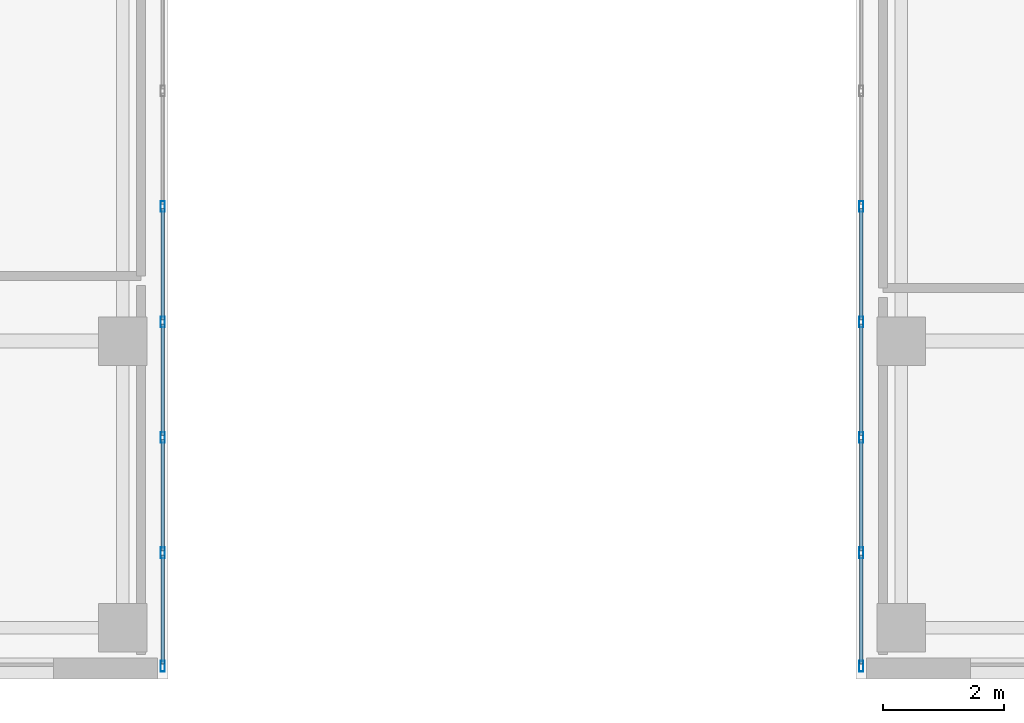
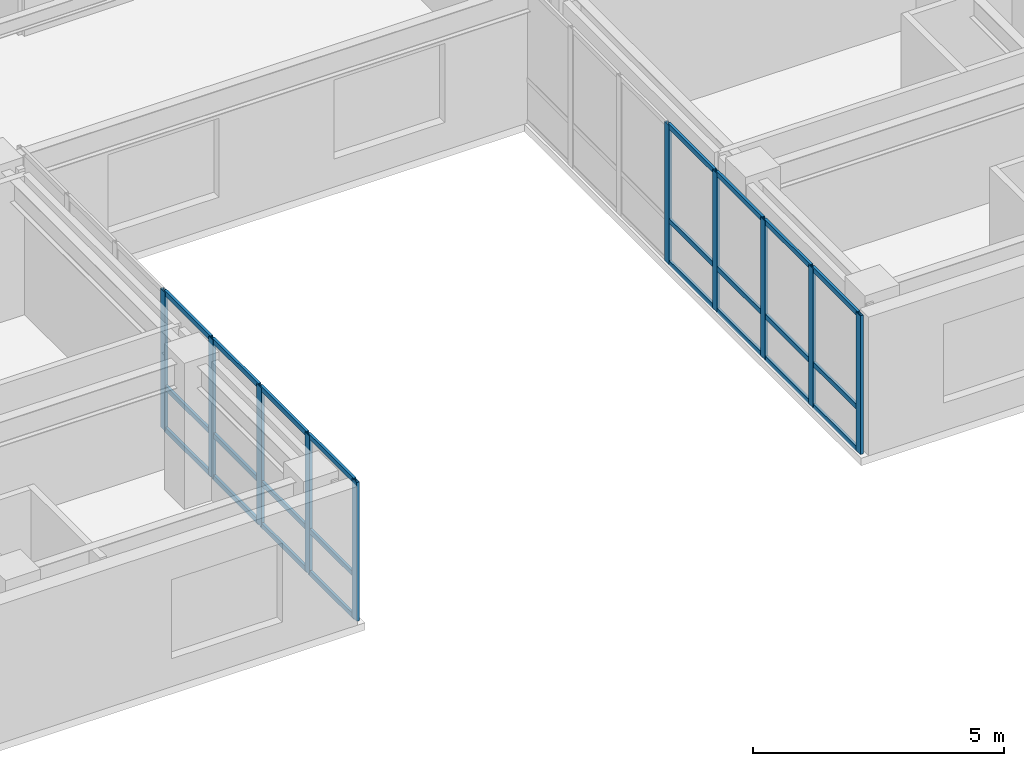
# One storey, part 7 of 24: 34 members, 2 elements without a shape of their own.
"""IFC4 building model written with IfcOpenShell, lengths in metres."""

from ifc_helpers import new_model, si_unit, direction, frame, origin, origin_2d, place, context, subcontext, project, spatial, hollow_rectangle, extrude, source, transform, mapped, material, layer, layer_set, material_profile, profile_set, type_object, type_shapes, element, aggregate, save


model = new_model("IFC4")

# Units and contexts
model_context = context("Model", 3, precision=1e-05, world=origin(), true_north=direction((0.0, 1.0)))
body_context = subcontext(model_context, "Body", "Model", "MODEL_VIEW")
ifc_project = project(units=[si_unit("LENGTHUNIT", "METRE"), si_unit("AREAUNIT", "SQUARE_METRE"), si_unit("VOLUMEUNIT", "CUBIC_METRE"), si_unit("PLANEANGLEUNIT", "RADIAN"), si_unit("MASSUNIT", "GRAM", prefix="KILO")], contexts=[model_context])

# Site, building, storey
site_placement = place(None, origin())
site = spatial("IfcSite", under=ifc_project, at=site_placement, CompositionType="ELEMENT")
building_placement = place(site_placement, origin())
building = spatial("IfcBuilding", under=site, at=building_placement, Name="Tolvann Quenvar Hotel", CompositionType="ELEMENT")
storey_placement = place(building_placement, frame((0.0, 0.0, 194.64990234375)))
storey = spatial("IfcBuildingStorey", under=building, at=storey_placement, Name="L51", CompositionType="ELEMENT", Elevation=194.64990234375)

# Curtain wall, members
ifc_material_1 = material(Name="Thermally broken anodised architectural aluminium 6063-T6 and laminated low-E glass", Category="aluminium")
ifc_layer = layer(ifc_material_1, 0.179931640625)
ifc_layer_set = layer_set([ifc_layer], Name="Thermally broken anodised architectural aluminium 6063-T6 and laminated low-E glass")
curtain_wall_type = type_object("IfcCurtainWallType", Name="CW_SYS_SLOT_03", PredefinedType="USERDEFINED", material=ifc_layer_set)
curtain_wall_1_placement = place(storey_placement, origin())
curtain_wall_1 = element("IfcCurtainWall", 1, at=curtain_wall_1_placement, inside=storey, type_object=curtain_wall_type, Name="Curtain Wall CW-SLOT-03 (CWR-L51-E05)", ObjectType="UNITISED CURTAIN WALL", PredefinedType="USERDEFINED")
ifc_material_2 = material(Name="Anodised architectural aluminium 6063-T6 framing", Category="aluminium")
ifc_material_profile_1 = material_profile(ifc_material_2, hollow_rectangle(XDim=0.070068359375, YDim=0.179931640625, WallThickness=0.00390625, at=origin_2d()), Name="180x70x4RHS")
ifc_profile_set_1 = profile_set([ifc_material_profile_1], Name="Anodised architectural aluminium 6063-T6 framing")
member_type_1 = type_object("IfcMemberType", Name="CW_MULL_180x70", PredefinedType="MULLION", material=ifc_profile_set_1)
shared_shape_1 = source(origin(), body_context, "Body", "SweptSolid", [
    extrude(hollow_rectangle(XDim=0.070068359375, YDim=0.179931640625, WallThickness=0.00390625, at=origin_2d()), origin(), (0.0, 0.0, 1.0), 3.3701171875),
])
type_shapes(member_type_1, [shared_shape_1])
member_1_placement = place(storey_placement, frame((22.7099609375, 2.81005859375, 0.0), z_axis=(0.0, 0.0, 1.0), x_axis=(-1.0, 0.0, 0.0)))
member_1 = element("IfcMember", 2, at=member_1_placement, type_object=member_type_1, Name="CW-SLOT-03 mullion 1", PredefinedType="MULLION", context=body_context, shape_type="MappedRepresentation", body=[
    mapped(shared_shape_1, transform((0.0, 0.0, 0.0), x_axis=(1.0, 0.0, 0.0), y_axis=(0.0, 1.0, 0.0), z_axis=(0.0, 0.0, 1.0), scale=1.0)),
])
member_2_placement = place(storey_placement, frame((22.7099609375, 4.689208984375, 0.0), z_axis=(0.0, 0.0, 1.0), x_axis=(-1.0, 0.0, 0.0)))
member_2 = element("IfcMember", 3, at=member_2_placement, type_object=member_type_1, Name="CW-SLOT-03 mullion 2", PredefinedType="MULLION", context=body_context, shape_type="MappedRepresentation", body=[
    mapped(shared_shape_1, transform((0.0, 0.0, 0.0), x_axis=(1.0, 0.0, 0.0), y_axis=(0.0, 1.0, 0.0), z_axis=(0.0, 0.0, 1.0), scale=1.0)),
])
member_3_placement = place(storey_placement, frame((22.7099609375, 6.603515625, 0.0), z_axis=(0.0, 0.0, 1.0), x_axis=(-1.0, 0.0, 0.0)))
member_3 = element("IfcMember", 4, at=member_3_placement, type_object=member_type_1, Name="CW-SLOT-03 mullion 3", PredefinedType="MULLION", context=body_context, shape_type="MappedRepresentation", body=[
    mapped(shared_shape_1, transform((0.0, 0.0, 0.0), x_axis=(1.0, 0.0, 0.0), y_axis=(0.0, 1.0, 0.0), z_axis=(0.0, 0.0, 1.0), scale=1.0)),
])
member_4_placement = place(storey_placement, frame((22.7099609375, 8.517822265625, 0.0), z_axis=(0.0, 0.0, 1.0), x_axis=(-1.0, 0.0, 0.0)))
member_4 = element("IfcMember", 5, at=member_4_placement, type_object=member_type_1, Name="CW-SLOT-03 mullion 4", PredefinedType="MULLION", context=body_context, shape_type="MappedRepresentation", body=[
    mapped(shared_shape_1, transform((0.0, 0.0, 0.0), x_axis=(1.0, 0.0, 0.0), y_axis=(0.0, 1.0, 0.0), z_axis=(0.0, 0.0, 1.0), scale=1.0)),
])
member_5_placement = place(storey_placement, frame((22.7099609375, 10.43212890625, 0.0), z_axis=(0.0, 0.0, 1.0), x_axis=(-1.0, 0.0, 0.0)))
member_5 = element("IfcMember", 6, at=member_5_placement, type_object=member_type_1, Name="CW-SLOT-03 mullion 5", PredefinedType="MULLION", context=body_context, shape_type="MappedRepresentation", body=[
    mapped(shared_shape_1, transform((0.0, 0.0, 0.0), x_axis=(1.0, 0.0, 0.0), y_axis=(0.0, 1.0, 0.0), z_axis=(0.0, 0.0, 1.0), scale=1.0)),
])

curtain_wall_2_placement = place(storey_placement, origin())
curtain_wall_2 = element("IfcCurtainWall", 7, at=curtain_wall_2_placement, inside=storey, type_object=curtain_wall_type, Name="Curtain Wall CW-SLOT-03 (CWR-L51-E07)", ObjectType="UNITISED CURTAIN WALL", PredefinedType="USERDEFINED")
member_6_placement = place(storey_placement, frame((34.2900390625, 10.43212890625, 0.0), z_axis=(0.0, 0.0, 1.0), x_axis=(1.0, 0.0, 0.0)))
member_6 = element("IfcMember", 8, at=member_6_placement, type_object=member_type_1, Name="CW-SLOT-03 mullion 4", PredefinedType="MULLION", context=body_context, shape_type="MappedRepresentation", body=[
    mapped(shared_shape_1, transform((0.0, 0.0, 0.0), x_axis=(1.0, 0.0, 0.0), y_axis=(0.0, 1.0, 0.0), z_axis=(0.0, 0.0, 1.0), scale=1.0)),
])
member_7_placement = place(storey_placement, frame((34.2900390625, 8.517822265625, 0.0), z_axis=(0.0, 0.0, 1.0), x_axis=(1.0, 0.0, 0.0)))
member_7 = element("IfcMember", 9, at=member_7_placement, type_object=member_type_1, Name="CW-SLOT-03 mullion 5", PredefinedType="MULLION", context=body_context, shape_type="MappedRepresentation", body=[
    mapped(shared_shape_1, transform((0.0, 0.0, 0.0), x_axis=(1.0, 0.0, 0.0), y_axis=(0.0, 1.0, 0.0), z_axis=(0.0, 0.0, 1.0), scale=1.0)),
])
member_8_placement = place(storey_placement, frame((34.2900390625, 6.603515625, 0.0), z_axis=(0.0, 0.0, 1.0), x_axis=(1.0, 0.0, 0.0)))
member_8 = element("IfcMember", 10, at=member_8_placement, type_object=member_type_1, Name="CW-SLOT-03 mullion 6", PredefinedType="MULLION", context=body_context, shape_type="MappedRepresentation", body=[
    mapped(shared_shape_1, transform((0.0, 0.0, 0.0), x_axis=(1.0, 0.0, 0.0), y_axis=(0.0, 1.0, 0.0), z_axis=(0.0, 0.0, 1.0), scale=1.0)),
])
member_9_placement = place(storey_placement, frame((34.2900390625, 4.689208984375, 0.0), z_axis=(0.0, 0.0, 1.0), x_axis=(1.0, 0.0, 0.0)))
member_9 = element("IfcMember", 11, at=member_9_placement, type_object=member_type_1, Name="CW-SLOT-03 mullion 7", PredefinedType="MULLION", context=body_context, shape_type="MappedRepresentation", body=[
    mapped(shared_shape_1, transform((0.0, 0.0, 0.0), x_axis=(1.0, 0.0, 0.0), y_axis=(0.0, 1.0, 0.0), z_axis=(0.0, 0.0, 1.0), scale=1.0)),
])
member_10_placement = place(storey_placement, frame((34.2900390625, 2.81005859375, 0.0), z_axis=(0.0, 0.0, 1.0), x_axis=(1.0, 0.0, 0.0)))
member_10 = element("IfcMember", 12, at=member_10_placement, type_object=member_type_1, Name="CW-SLOT-03 mullion 8", PredefinedType="MULLION", context=body_context, shape_type="MappedRepresentation", body=[
    mapped(shared_shape_1, transform((0.0, 0.0, 0.0), x_axis=(1.0, 0.0, 0.0), y_axis=(0.0, 1.0, 0.0), z_axis=(0.0, 0.0, 1.0), scale=1.0)),
])

# Member
ifc_material_profile_2 = material_profile(ifc_material_2, hollow_rectangle(XDim=0.06005859375, YDim=0.1201171875, WallThickness=0.00341796875, at=origin_2d()), Name="120x60x3.5RHS")
ifc_profile_set_2 = profile_set([ifc_material_profile_2], Name="Anodised architectural aluminium 6063-T6 framing")
member_type_2 = type_object("IfcMemberType", Name="CW_TRAN_120x60", PredefinedType="USERDEFINED", material=ifc_profile_set_2)
shared_shape_2 = source(origin(), body_context, "Body", "SweptSolid", [
    extrude(hollow_rectangle(XDim=0.06005859375, YDim=0.1201171875, WallThickness=0.00341796875, at=origin_2d()), origin(), (0.0, 0.0, 1.0), 1.809326171875),
])
member_11_placement = place(storey_placement, frame((22.7099609375, 2.844970703125, 0.030029296875), z_axis=(0.0, 1.0, 0.0), x_axis=(-1.0, 0.0, 0.0)))
member_11 = element("IfcMember", 13, at=member_11_placement, type_object=member_type_2, Name="CW-SLOT-03 transom 1.1", ObjectType="TRANSOM", PredefinedType="USERDEFINED", context=body_context, shape_type="MappedRepresentation", body=[
    mapped(shared_shape_2, transform((0.0, 0.0, 0.0), x_axis=(1.0, 0.0, 0.0), y_axis=(0.0, 1.0, 0.0), z_axis=(0.0, 0.0, 1.0), scale=1.0)),
])

member_12_placement = place(storey_placement, frame((22.7099609375, 2.844970703125, 1.050048828125), z_axis=(0.0, 1.0, 0.0), x_axis=(-1.0, 0.0, 0.0)))
member_12 = element("IfcMember", 14, at=member_12_placement, type_object=member_type_2, Name="CW-SLOT-03 transom 1.2", ObjectType="TRANSOM", PredefinedType="USERDEFINED", context=body_context, shape_type="MappedRepresentation", body=[
    mapped(shared_shape_2, transform((0.0, 0.0, 0.0), x_axis=(1.0, 0.0, 0.0), y_axis=(0.0, 1.0, 0.0), z_axis=(0.0, 0.0, 1.0), scale=1.0)),
])

member_13_placement = place(storey_placement, frame((22.7099609375, 2.844970703125, 3.340087890625), z_axis=(0.0, 1.0, 0.0), x_axis=(-1.0, 0.0, 0.0)))
member_13 = element("IfcMember", 15, at=member_13_placement, type_object=member_type_2, Name="CW-SLOT-03 transom 1.3", ObjectType="TRANSOM", PredefinedType="USERDEFINED", context=body_context, shape_type="MappedRepresentation", body=[
    mapped(shared_shape_2, transform((0.0, 0.0, 0.0), x_axis=(1.0, 0.0, 0.0), y_axis=(0.0, 1.0, 0.0), z_axis=(0.0, 0.0, 1.0), scale=1.0)),
])

member_14_placement = place(storey_placement, frame((34.2900390625, 4.654296875, 0.030029296875), z_axis=(0.0, -1.0, 0.0), x_axis=(1.0, 0.0, 0.0)))
member_14 = element("IfcMember", 16, at=member_14_placement, type_object=member_type_2, Name="CW-SLOT-03 transom 7.1", ObjectType="TRANSOM", PredefinedType="USERDEFINED", context=body_context, shape_type="MappedRepresentation", body=[
    mapped(shared_shape_2, transform((0.0, 0.0, 0.0), x_axis=(1.0, 0.0, 0.0), y_axis=(0.0, 1.0, 0.0), z_axis=(0.0, 0.0, 1.0), scale=1.0)),
])

member_15_placement = place(storey_placement, frame((34.2900390625, 4.654296875, 1.050048828125), z_axis=(0.0, -1.0, 0.0), x_axis=(1.0, 0.0, 0.0)))
member_15 = element("IfcMember", 17, at=member_15_placement, type_object=member_type_2, Name="CW-SLOT-03 transom 7.2", ObjectType="TRANSOM", PredefinedType="USERDEFINED", context=body_context, shape_type="MappedRepresentation", body=[
    mapped(shared_shape_2, transform((0.0, 0.0, 0.0), x_axis=(1.0, 0.0, 0.0), y_axis=(0.0, 1.0, 0.0), z_axis=(0.0, 0.0, 1.0), scale=1.0)),
])

member_16_placement = place(storey_placement, frame((34.2900390625, 4.654296875, 3.340087890625), z_axis=(0.0, -1.0, 0.0), x_axis=(1.0, 0.0, 0.0)))
member_16 = element("IfcMember", 18, at=member_16_placement, type_object=member_type_2, Name="CW-SLOT-03 transom 7.3", ObjectType="TRANSOM", PredefinedType="USERDEFINED", context=body_context, shape_type="MappedRepresentation", body=[
    mapped(shared_shape_2, transform((0.0, 0.0, 0.0), x_axis=(1.0, 0.0, 0.0), y_axis=(0.0, 1.0, 0.0), z_axis=(0.0, 0.0, 1.0), scale=1.0)),
])

shared_shape_3 = source(origin(), body_context, "Body", "SweptSolid", [
    extrude(hollow_rectangle(XDim=0.06005859375, YDim=0.1201171875, WallThickness=0.00341796875, at=origin_2d()), origin(), (0.0, 0.0, 1.0), 1.84423828125),
])
type_shapes(member_type_2, [shared_shape_2, shared_shape_3])
member_17_placement = place(storey_placement, frame((22.7099609375, 4.724365234375, 0.030029296875), z_axis=(0.0, 1.0, 0.0), x_axis=(-1.0, 0.0, 0.0)))
member_17 = element("IfcMember", 19, at=member_17_placement, type_object=member_type_2, Name="CW-SLOT-03 transom 2.1", ObjectType="TRANSOM", PredefinedType="USERDEFINED", context=body_context, shape_type="MappedRepresentation", body=[
    mapped(shared_shape_3, transform((0.0, 0.0, 0.0), x_axis=(1.0, 0.0, 0.0), y_axis=(0.0, 1.0, 0.0), z_axis=(0.0, 0.0, 1.0), scale=1.0)),
])

member_18_placement = place(storey_placement, frame((22.7099609375, 4.724365234375, 1.050048828125), z_axis=(0.0, 1.0, 0.0), x_axis=(-1.0, 0.0, 0.0)))
member_18 = element("IfcMember", 20, at=member_18_placement, type_object=member_type_2, Name="CW-SLOT-03 transom 2.2", ObjectType="TRANSOM", PredefinedType="USERDEFINED", context=body_context, shape_type="MappedRepresentation", body=[
    mapped(shared_shape_3, transform((0.0, 0.0, 0.0), x_axis=(1.0, 0.0, 0.0), y_axis=(0.0, 1.0, 0.0), z_axis=(0.0, 0.0, 1.0), scale=1.0)),
])

member_19_placement = place(storey_placement, frame((22.7099609375, 4.724365234375, 3.340087890625), z_axis=(0.0, 1.0, 0.0), x_axis=(-1.0, 0.0, 0.0)))
member_19 = element("IfcMember", 21, at=member_19_placement, type_object=member_type_2, Name="CW-SLOT-03 transom 2.3", ObjectType="TRANSOM", PredefinedType="USERDEFINED", context=body_context, shape_type="MappedRepresentation", body=[
    mapped(shared_shape_3, transform((0.0, 0.0, 0.0), x_axis=(1.0, 0.0, 0.0), y_axis=(0.0, 1.0, 0.0), z_axis=(0.0, 0.0, 1.0), scale=1.0)),
])

member_20_placement = place(storey_placement, frame((22.7099609375, 6.638671875, 0.030029296875), z_axis=(0.0, 1.0, 0.0), x_axis=(-1.0, 0.0, 0.0)))
member_20 = element("IfcMember", 22, at=member_20_placement, type_object=member_type_2, Name="CW-SLOT-03 transom 3.1", ObjectType="TRANSOM", PredefinedType="USERDEFINED", context=body_context, shape_type="MappedRepresentation", body=[
    mapped(shared_shape_3, transform((0.0, 0.0, 0.0), x_axis=(1.0, 0.0, 0.0), y_axis=(0.0, 1.0, 0.0), z_axis=(0.0, 0.0, 1.0), scale=1.0)),
])

member_21_placement = place(storey_placement, frame((22.7099609375, 6.638671875, 1.050048828125), z_axis=(0.0, 1.0, 0.0), x_axis=(-1.0, 0.0, 0.0)))
member_21 = element("IfcMember", 23, at=member_21_placement, type_object=member_type_2, Name="CW-SLOT-03 transom 3.2", ObjectType="TRANSOM", PredefinedType="USERDEFINED", context=body_context, shape_type="MappedRepresentation", body=[
    mapped(shared_shape_3, transform((0.0, 0.0, 0.0), x_axis=(1.0, 0.0, 0.0), y_axis=(0.0, 1.0, 0.0), z_axis=(0.0, 0.0, 1.0), scale=1.0)),
])

member_22_placement = place(storey_placement, frame((22.7099609375, 6.638671875, 3.340087890625), z_axis=(0.0, 1.0, 0.0), x_axis=(-1.0, 0.0, 0.0)))
member_22 = element("IfcMember", 24, at=member_22_placement, type_object=member_type_2, Name="CW-SLOT-03 transom 3.3", ObjectType="TRANSOM", PredefinedType="USERDEFINED", context=body_context, shape_type="MappedRepresentation", body=[
    mapped(shared_shape_3, transform((0.0, 0.0, 0.0), x_axis=(1.0, 0.0, 0.0), y_axis=(0.0, 1.0, 0.0), z_axis=(0.0, 0.0, 1.0), scale=1.0)),
])

member_23_placement = place(storey_placement, frame((22.7099609375, 8.552978515625, 0.030029296875), z_axis=(0.0, 1.0, 0.0), x_axis=(-1.0, 0.0, 0.0)))
member_23 = element("IfcMember", 25, at=member_23_placement, type_object=member_type_2, Name="CW-SLOT-03 transom 4.1", ObjectType="TRANSOM", PredefinedType="USERDEFINED", context=body_context, shape_type="MappedRepresentation", body=[
    mapped(shared_shape_3, transform((0.0, 0.0, 0.0), x_axis=(1.0, 0.0, 0.0), y_axis=(0.0, 1.0, 0.0), z_axis=(0.0, 0.0, 1.0), scale=1.0)),
])

member_24_placement = place(storey_placement, frame((22.7099609375, 8.552978515625, 1.050048828125), z_axis=(0.0, 1.0, 0.0), x_axis=(-1.0, 0.0, 0.0)))
member_24 = element("IfcMember", 26, at=member_24_placement, type_object=member_type_2, Name="CW-SLOT-03 transom 4.2", ObjectType="TRANSOM", PredefinedType="USERDEFINED", context=body_context, shape_type="MappedRepresentation", body=[
    mapped(shared_shape_3, transform((0.0, 0.0, 0.0), x_axis=(1.0, 0.0, 0.0), y_axis=(0.0, 1.0, 0.0), z_axis=(0.0, 0.0, 1.0), scale=1.0)),
])

member_25_placement = place(storey_placement, frame((22.7099609375, 8.552978515625, 3.340087890625), z_axis=(0.0, 1.0, 0.0), x_axis=(-1.0, 0.0, 0.0)))
member_25 = element("IfcMember", 27, at=member_25_placement, type_object=member_type_2, Name="CW-SLOT-03 transom 4.3", ObjectType="TRANSOM", PredefinedType="USERDEFINED", context=body_context, shape_type="MappedRepresentation", body=[
    mapped(shared_shape_3, transform((0.0, 0.0, 0.0), x_axis=(1.0, 0.0, 0.0), y_axis=(0.0, 1.0, 0.0), z_axis=(0.0, 0.0, 1.0), scale=1.0)),
])

aggregate(curtain_wall_1, [member_1, member_2, member_3, member_4, member_5, member_11, member_12, member_13, member_17, member_18, member_19, member_20, member_21, member_22, member_23, member_24, member_25])

member_26_placement = place(storey_placement, frame((34.2900390625, 10.397216796875, 0.030029296875), z_axis=(0.0, -1.0, 0.0), x_axis=(1.0, 0.0, 0.0)))
member_26 = element("IfcMember", 28, at=member_26_placement, type_object=member_type_2, Name="CW-SLOT-03 transom 4.1", ObjectType="TRANSOM", PredefinedType="USERDEFINED", context=body_context, shape_type="MappedRepresentation", body=[
    mapped(shared_shape_3, transform((0.0, 0.0, 0.0), x_axis=(1.0, 0.0, 0.0), y_axis=(0.0, 1.0, 0.0), z_axis=(0.0, 0.0, 1.0), scale=1.0)),
])

member_27_placement = place(storey_placement, frame((34.2900390625, 10.397216796875, 1.050048828125), z_axis=(0.0, -1.0, 0.0), x_axis=(1.0, 0.0, 0.0)))
member_27 = element("IfcMember", 29, at=member_27_placement, type_object=member_type_2, Name="CW-SLOT-03 transom 4.2", ObjectType="TRANSOM", PredefinedType="USERDEFINED", context=body_context, shape_type="MappedRepresentation", body=[
    mapped(shared_shape_3, transform((0.0, 0.0, 0.0), x_axis=(1.0, 0.0, 0.0), y_axis=(0.0, 1.0, 0.0), z_axis=(0.0, 0.0, 1.0), scale=1.0)),
])

member_28_placement = place(storey_placement, frame((34.2900390625, 10.397216796875, 3.340087890625), z_axis=(0.0, -1.0, 0.0), x_axis=(1.0, 0.0, 0.0)))
member_28 = element("IfcMember", 30, at=member_28_placement, type_object=member_type_2, Name="CW-SLOT-03 transom 4.3", ObjectType="TRANSOM", PredefinedType="USERDEFINED", context=body_context, shape_type="MappedRepresentation", body=[
    mapped(shared_shape_3, transform((0.0, 0.0, 0.0), x_axis=(1.0, 0.0, 0.0), y_axis=(0.0, 1.0, 0.0), z_axis=(0.0, 0.0, 1.0), scale=1.0)),
])

member_29_placement = place(storey_placement, frame((34.2900390625, 8.48291015625, 0.030029296875), z_axis=(0.0, -1.0, 0.0), x_axis=(1.0, 0.0, 0.0)))
member_29 = element("IfcMember", 31, at=member_29_placement, type_object=member_type_2, Name="CW-SLOT-03 transom 5.1", ObjectType="TRANSOM", PredefinedType="USERDEFINED", context=body_context, shape_type="MappedRepresentation", body=[
    mapped(shared_shape_3, transform((0.0, 0.0, 0.0), x_axis=(1.0, 0.0, 0.0), y_axis=(0.0, 1.0, 0.0), z_axis=(0.0, 0.0, 1.0), scale=1.0)),
])

member_30_placement = place(storey_placement, frame((34.2900390625, 8.48291015625, 1.050048828125), z_axis=(0.0, -1.0, 0.0), x_axis=(1.0, 0.0, 0.0)))
member_30 = element("IfcMember", 32, at=member_30_placement, type_object=member_type_2, Name="CW-SLOT-03 transom 5.2", ObjectType="TRANSOM", PredefinedType="USERDEFINED", context=body_context, shape_type="MappedRepresentation", body=[
    mapped(shared_shape_3, transform((0.0, 0.0, 0.0), x_axis=(1.0, 0.0, 0.0), y_axis=(0.0, 1.0, 0.0), z_axis=(0.0, 0.0, 1.0), scale=1.0)),
])

member_31_placement = place(storey_placement, frame((34.2900390625, 8.48291015625, 3.340087890625), z_axis=(0.0, -1.0, 0.0), x_axis=(1.0, 0.0, 0.0)))
member_31 = element("IfcMember", 33, at=member_31_placement, type_object=member_type_2, Name="CW-SLOT-03 transom 5.3", ObjectType="TRANSOM", PredefinedType="USERDEFINED", context=body_context, shape_type="MappedRepresentation", body=[
    mapped(shared_shape_3, transform((0.0, 0.0, 0.0), x_axis=(1.0, 0.0, 0.0), y_axis=(0.0, 1.0, 0.0), z_axis=(0.0, 0.0, 1.0), scale=1.0)),
])

member_32_placement = place(storey_placement, frame((34.2900390625, 6.568603515625, 0.030029296875), z_axis=(0.0, -1.0, 0.0), x_axis=(1.0, 0.0, 0.0)))
member_32 = element("IfcMember", 34, at=member_32_placement, type_object=member_type_2, Name="CW-SLOT-03 transom 6.1", ObjectType="TRANSOM", PredefinedType="USERDEFINED", context=body_context, shape_type="MappedRepresentation", body=[
    mapped(shared_shape_3, transform((0.0, 0.0, 0.0), x_axis=(1.0, 0.0, 0.0), y_axis=(0.0, 1.0, 0.0), z_axis=(0.0, 0.0, 1.0), scale=1.0)),
])

member_33_placement = place(storey_placement, frame((34.2900390625, 6.568603515625, 1.050048828125), z_axis=(0.0, -1.0, 0.0), x_axis=(1.0, 0.0, 0.0)))
member_33 = element("IfcMember", 35, at=member_33_placement, type_object=member_type_2, Name="CW-SLOT-03 transom 6.2", ObjectType="TRANSOM", PredefinedType="USERDEFINED", context=body_context, shape_type="MappedRepresentation", body=[
    mapped(shared_shape_3, transform((0.0, 0.0, 0.0), x_axis=(1.0, 0.0, 0.0), y_axis=(0.0, 1.0, 0.0), z_axis=(0.0, 0.0, 1.0), scale=1.0)),
])

member_34_placement = place(storey_placement, frame((34.2900390625, 6.568603515625, 3.340087890625), z_axis=(0.0, -1.0, 0.0), x_axis=(1.0, 0.0, 0.0)))
member_34 = element("IfcMember", 36, at=member_34_placement, type_object=member_type_2, Name="CW-SLOT-03 transom 6.3", ObjectType="TRANSOM", PredefinedType="USERDEFINED", context=body_context, shape_type="MappedRepresentation", body=[
    mapped(shared_shape_3, transform((0.0, 0.0, 0.0), x_axis=(1.0, 0.0, 0.0), y_axis=(0.0, 1.0, 0.0), z_axis=(0.0, 0.0, 1.0), scale=1.0)),
])

aggregate(curtain_wall_2, [member_6, member_7, member_8, member_9, member_10, member_26, member_27, member_28, member_29, member_30, member_31, member_32, member_33, member_34, member_14, member_15, member_16])

save(model, "model.ifc")
